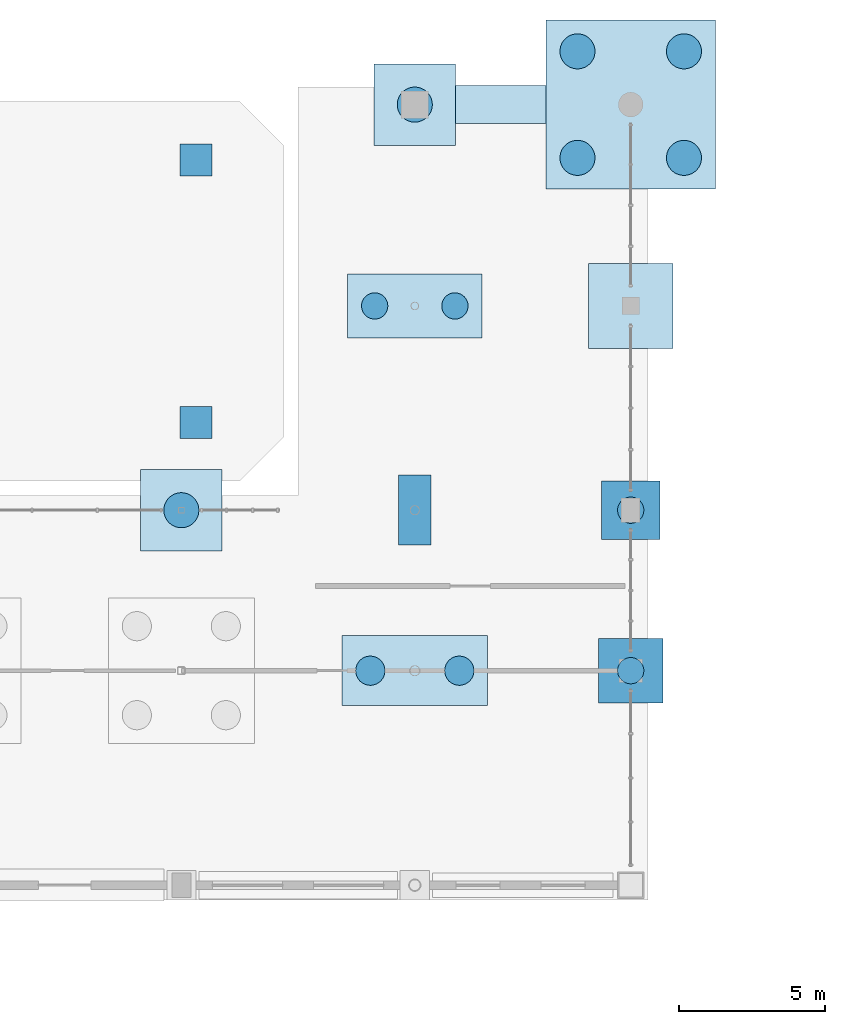
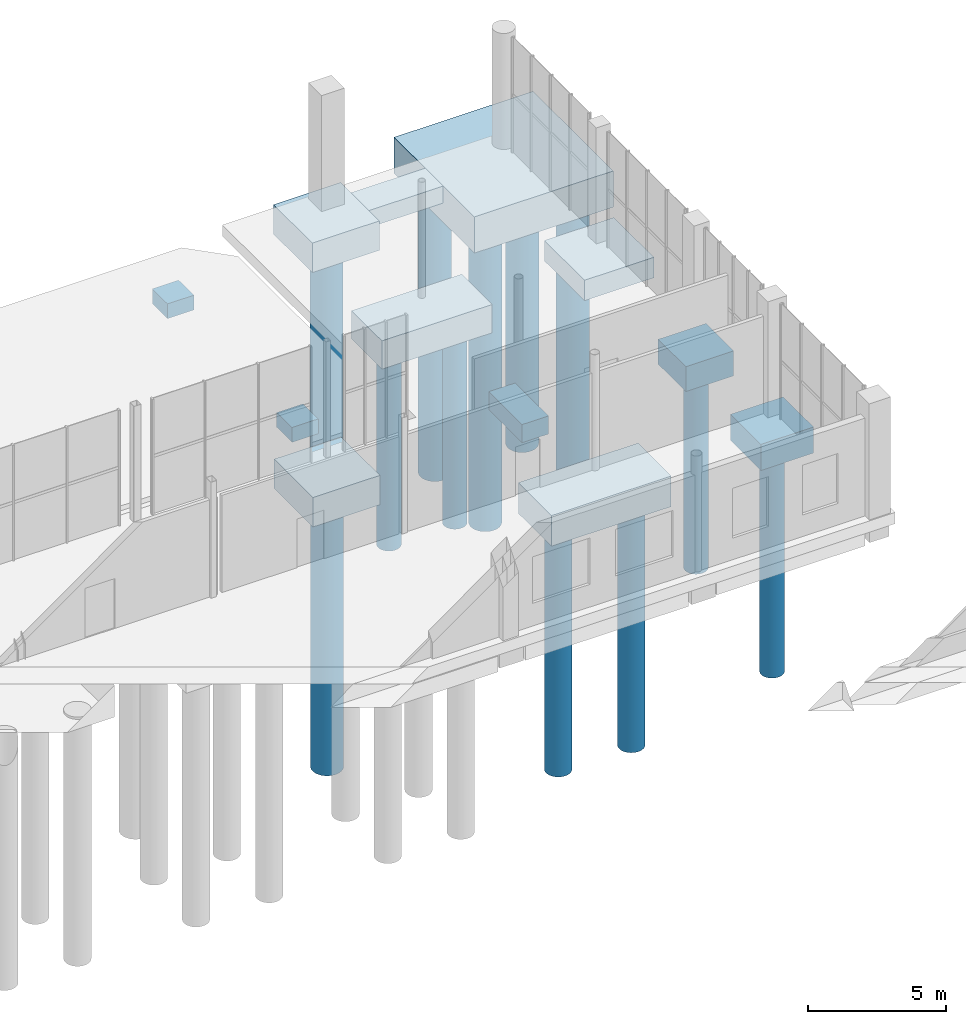
# One storey, part 4 of 87: 12 footings, 12 piles.
"""IFC4 building model written with IfcOpenShell, lengths in metres."""

from ifc_helpers import new_model, si_unit, direction, frame, origin, origin_2d, place, context, subcontext, project, spatial, rectangle, circle, extrude, material, material_profile, profile_set, type_object, element, save


model = new_model("IFC4")

# Units and contexts
model_context = context("Model", 3, precision=1e-05, world=origin(), true_north=direction((0.0, 1.0)))
body_context = subcontext(model_context, "Body", "Model", "MODEL_VIEW")
ifc_project = project(units=[si_unit("LENGTHUNIT", "METRE"), si_unit("AREAUNIT", "SQUARE_METRE"), si_unit("VOLUMEUNIT", "CUBIC_METRE"), si_unit("PLANEANGLEUNIT", "RADIAN"), si_unit("MASSUNIT", "GRAM", prefix="KILO")], contexts=[model_context])

# Site, building, storey
site_placement = place(None, origin())
site = spatial("IfcSite", under=ifc_project, at=site_placement, CompositionType="ELEMENT")
building_placement = place(site_placement, origin())
building = spatial("IfcBuilding", under=site, at=building_placement, Name="Brisemont Oceanarium", CompositionType="ELEMENT")
storey_placement = place(building_placement, origin())
storey = spatial("IfcBuildingStorey", under=building, at=storey_placement, Name="L00", CompositionType="ELEMENT", Elevation=0.0)

# Footings
ifc_material_1 = material(Name="Concrete C40/50", Category="concrete")
footing_type_1 = type_object("IfcFootingType", Name="FTG-PAD-1100", PredefinedType="PAD_FOOTING", material=ifc_material_1)
for number, where, z_axis, x_axis, name in (
    (1, (144.5, 96.5, -0.869873046875), (0.0, 0.0, 1.0), (1.0, 0.0, 0.0), "Apron support pad V6CL-2"),
    (2, (144.5, 105.5, -0.869873046875), (0.0, 0.0, 1.0), (1.0, 0.0, 0.0), "Apron support pad V6CL-4"),
):
    element("IfcFooting", number, at=place(storey_placement, frame(where, z_axis=z_axis, x_axis=x_axis)), inside=storey, type_object=footing_type_1, Name=name, PredefinedType="PAD_FOOTING", context=body_context, shape_type="SweptSolid", body=[
        extrude(rectangle(XDim=1.10009765625, YDim=1.10009765625, at=origin_2d()), origin(), (0.0, 0.0, 1.0), 0.64990234375),
    ])
ifc_material_2 = material(Name="Concrete C40/50", Category="concrete")
footing_type_2 = type_object("IfcFootingType", Name="FTG-PAD-1100X2400", PredefinedType="PAD_FOOTING", material=ifc_material_2)
footing_1_placement = place(storey_placement, frame((152.0, 93.5, -1.2998046875), z_axis=(0.0, 0.0, 1.0), x_axis=(1.0, 0.0, 0.0)))
element("IfcFooting", 3, at=footing_1_placement, inside=storey, type_object=footing_type_2, Name="PF-13 spread footing at (152.0,93.5)", PredefinedType="PAD_FOOTING", context=body_context, shape_type="SweptSolid", body=[
    extrude(rectangle(XDim=1.10009765625, YDim=2.39990234375, at=origin_2d()), origin(), (0.0, 0.0, 1.0), 0.800048828125),
])
ifc_material_3 = material(Name="Concrete C40/50", Category="concrete")
footing_type_3 = type_object("IfcFootingType", Name="FTG-PAD-2900", PredefinedType="PAD_FOOTING", material=ifc_material_3)
footing_2_placement = place(storey_placement, frame((159.39990234375, 100.5, -1.39990234375), z_axis=(0.0, 0.0, 1.0), x_axis=(1.0, 0.0, 0.0)))
element("IfcFooting", 4, at=footing_2_placement, inside=storey, type_object=footing_type_3, Name="PF-03 spread footing at (159.4,100.5)", PredefinedType="PAD_FOOTING", context=body_context, shape_type="SweptSolid", body=[
    extrude(rectangle(XDim=2.89990234375, YDim=2.89990234375, at=origin_2d()), origin(), (0.0, 0.0, 1.0), 0.89990234375),
])
ifc_material_4 = material(Name="Concrete C40/50", Category="concrete")
footing_type_4 = type_object("IfcFootingType", Name="FTG-PC-1P-2000", PredefinedType="PILE_CAP", material=ifc_material_4)
footing_3_placement = place(storey_placement, frame((159.39990234375, 93.5, -1.60009765625), z_axis=(0.0, 0.0, 1.0), x_axis=(1.0, 0.0, 0.0)))
element("IfcFooting", 5, at=footing_3_placement, inside=storey, type_object=footing_type_4, Name="PC-11 pile cap at (159.4,93.5)", PredefinedType="PILE_CAP", context=body_context, shape_type="SweptSolid", body=[
    extrude(rectangle(XDim=2.0, YDim=2.0, at=origin_2d()), origin(), (0.0, 0.0, 1.0), 1.10009765625),
])
ifc_material_5 = material(Name="Concrete C40/50", Category="concrete")
footing_type_5 = type_object("IfcFootingType", Name="FTG-PC-1P-2200", PredefinedType="PILE_CAP", material=ifc_material_5)
footing_4_placement = place(storey_placement, frame((159.39990234375, 88.0, -1.64990234375), z_axis=(0.0, 0.0, 1.0), x_axis=(1.0, 0.0, 0.0)))
element("IfcFooting", 6, at=footing_4_placement, inside=storey, type_object=footing_type_5, Name="PC-10 pile cap at (159.4,88.0)", PredefinedType="PILE_CAP", context=body_context, shape_type="SweptSolid", body=[
    extrude(rectangle(XDim=2.199951171875, YDim=2.199951171875, at=origin_2d()), origin(), (0.0, 0.0, 1.0), 1.14990234375),
])
ifc_material_6 = material(Name="Concrete C40/50", Category="concrete")
footing_type_6 = type_object("IfcFootingType", Name="FTG-PC-1P-2800", PredefinedType="PILE_CAP", material=ifc_material_6)
for number, where, z_axis, x_axis, name in (
    (7, (144.0, 93.5, -1.7998046875), (0.0, 0.0, 1.0), (1.0, 0.0, 0.0), "PC-08 pile cap at (144.0,93.5)"),
    (8, (152.0, 107.39990234375, -1.7998046875), (0.0, 0.0, 1.0), (1.0, 0.0, 0.0), "PC-08 pile cap at (152.0,107.4)"),
):
    element("IfcFooting", number, at=place(storey_placement, frame(where, z_axis=z_axis, x_axis=x_axis)), inside=storey, type_object=footing_type_6, Name=name, PredefinedType="PILE_CAP", context=body_context, shape_type="SweptSolid", body=[
        extrude(rectangle(XDim=2.800048828125, YDim=2.800048828125, at=origin_2d()), origin(), (0.0, 0.0, 1.0), 1.300048828125),
    ])
ifc_material_7 = material(Name="Concrete C40/50", Category="concrete")
footing_type_7 = type_object("IfcFootingType", Name="FTG-PC-2P-4600", PredefinedType="PILE_CAP", material=ifc_material_7)
footing_5_placement = place(storey_placement, frame((152.0, 100.5, -1.75), z_axis=(0.0, 0.0, 1.0), x_axis=(1.0, 0.0, 0.0)))
element("IfcFooting", 9, at=footing_5_placement, inside=storey, type_object=footing_type_7, Name="PC-07 pile cap at (152.0,100.5)", PredefinedType="PILE_CAP", context=body_context, shape_type="SweptSolid", body=[
    extrude(rectangle(XDim=4.60009765625, YDim=2.199951171875, at=origin_2d()), origin(), (0.0, 0.0, 1.0), 1.25),
])
ifc_material_8 = material(Name="Concrete C40/50", Category="concrete")
footing_type_8 = type_object("IfcFootingType", Name="FTG-PC-2P-5000", PredefinedType="PILE_CAP", material=ifc_material_8)
footing_6_placement = place(storey_placement, frame((152.0, 88.0, -1.85009765625), z_axis=(0.0, 0.0, 1.0), x_axis=(1.0, 0.0, 0.0)))
element("IfcFooting", 10, at=footing_6_placement, inside=storey, type_object=footing_type_8, Name="PC-06 pile cap at (152.0,88.0)", PredefinedType="PILE_CAP", context=body_context, shape_type="SweptSolid", body=[
    extrude(rectangle(XDim=5.0, YDim=2.39990234375, at=origin_2d()), origin(), (0.0, 0.0, 1.0), 1.35009765625),
])
ifc_material_9 = material(Name="Concrete C40/50", Category="concrete")
footing_type_9 = type_object("IfcFootingType", Name="FTG-PC-4P-5800", PredefinedType="PILE_CAP", material=ifc_material_9)
footing_7_placement = place(storey_placement, frame((159.39990234375, 107.39990234375, -2.10009765625), z_axis=(0.0, 0.0, 1.0), x_axis=(1.0, 0.0, 0.0)))
element("IfcFooting", 11, at=footing_7_placement, inside=storey, type_object=footing_type_9, Name="PC-02 pile cap at (159.4,107.4)", PredefinedType="PILE_CAP", context=body_context, shape_type="SweptSolid", body=[
    extrude(rectangle(XDim=5.800048828125, YDim=5.800048828125, at=origin_2d()), origin(), (0.0, 0.0, 1.0), 1.60009765625),
])
ifc_material_10 = material(Name="Concrete C40/50", Category="concrete")
footing_type_10 = type_object("IfcFootingType", Name="FTG-SF-1300X750", PredefinedType="STRIP_FOOTING", material=ifc_material_10)
footing_8_placement = place(storey_placement, frame((154.949951171875, 107.39990234375, -1.25), z_axis=(0.0, 0.0, 1.0), x_axis=(1.0, 0.0, 0.0)))
element("IfcFooting", 12, at=footing_8_placement, inside=storey, type_object=footing_type_10, Name="SF-03 continuous strip footing", PredefinedType="STRIP_FOOTING", context=body_context, shape_type="SweptSolid", body=[
    extrude(rectangle(XDim=3.10009765625, YDim=1.300048828125, at=origin_2d()), origin(), (0.0, 0.0, 1.0), 0.75),
])

# Piles
ifc_material_11 = material(Name="Concrete C40/50", Category="concrete")
ifc_material_profile_1 = material_profile(ifc_material_11, circle(Radius=0.5, at=origin_2d()), Name="CIDH-D1000")
ifc_profile_set_1 = profile_set([ifc_material_profile_1], Name="Concrete C40/50")
pile_type_1 = type_object("IfcPileType", Name="PIL-CIDH-1000-11", PredefinedType="BORED", material=ifc_profile_set_1)
for number, where, z_axis, x_axis, name in (
    (13, (150.47509765625, 88.0, -1.75), (0.0, 0.0, -1.0), (1.0, 0.0, 0.0), "P-04 rock-socketed shaft 1"),
    (14, (153.52490234375, 88.0, -1.75), (0.0, 0.0, -1.0), (1.0, 0.0, 0.0), "P-04 rock-socketed shaft 2"),
):
    element("IfcPile", number, at=place(storey_placement, frame(where, z_axis=z_axis, x_axis=x_axis)), inside=storey, type_object=pile_type_1, Name=name, PredefinedType="BORED", context=body_context, shape_type="SweptSolid", body=[
        extrude(circle(Radius=0.5, at=origin_2d()), origin(), (0.0, 0.0, 1.0), 11.0),
    ])
ifc_material_12 = material(Name="Concrete C40/50", Category="concrete")
ifc_material_profile_2 = material_profile(ifc_material_12, circle(Radius=0.60009765625, at=origin_2d()), Name="CIDH-D1200")
ifc_profile_set_2 = profile_set([ifc_material_profile_2], Name="Concrete C40/50")
pile_type_2 = type_object("IfcPileType", Name="PIL-CIDH-1200-12", PredefinedType="BORED", material=ifc_profile_set_2)
for number, where, z_axis, x_axis, name in (
    (15, (144.0, 93.5, -1.699951171875), (0.0, 0.0, -1.0), (1.0, 0.0, 0.0), "P-03 rock-socketed shaft 1"),
    (16, (152.0, 107.39990234375, -1.699951171875), (0.0, 0.0, -1.0), (1.0, 0.0, 0.0), "P-03 rock-socketed shaft 1"),
):
    element("IfcPile", number, at=place(storey_placement, frame(where, z_axis=z_axis, x_axis=x_axis)), inside=storey, type_object=pile_type_2, Name=name, PredefinedType="BORED", context=body_context, shape_type="SweptSolid", body=[
        extrude(circle(Radius=0.60009765625, at=origin_2d()), origin(), (0.0, 0.0, 1.0), 12.0),
    ])
ifc_material_13 = material(Name="Concrete C40/50", Category="concrete")
ifc_material_profile_3 = material_profile(ifc_material_13, circle(Radius=0.60009765625, at=origin_2d()), Name="CIDH-D1200")
ifc_profile_set_3 = profile_set([ifc_material_profile_3], Name="Concrete C40/50")
pile_type_3 = type_object("IfcPileType", Name="PIL-CIDH-1200-13", PredefinedType="BORED", material=ifc_profile_set_3)
for number, where, z_axis, x_axis, name in (
    (17, (157.574951171875, 105.574951171875, -2.0), (0.0, 0.0, -1.0), (1.0, 0.0, 0.0), "P-02 rock-socketed shaft 1"),
    (18, (161.22509765625, 105.574951171875, -2.0), (0.0, 0.0, -1.0), (1.0, 0.0, 0.0), "P-02 rock-socketed shaft 2"),
    (19, (157.574951171875, 109.22509765625, -2.0), (0.0, 0.0, -1.0), (1.0, 0.0, 0.0), "P-02 rock-socketed shaft 3"),
    (20, (161.22509765625, 109.22509765625, -2.0), (0.0, 0.0, -1.0), (1.0, 0.0, 0.0), "P-02 rock-socketed shaft 4"),
):
    element("IfcPile", number, at=place(storey_placement, frame(where, z_axis=z_axis, x_axis=x_axis)), inside=storey, type_object=pile_type_3, Name=name, PredefinedType="BORED", context=body_context, shape_type="SweptSolid", body=[
        extrude(circle(Radius=0.60009765625, at=origin_2d()), origin(), (0.0, 0.0, 1.0), 13.0),
    ])
ifc_material_14 = material(Name="Concrete C40/50", Category="concrete")
ifc_material_profile_4 = material_profile(ifc_material_14, circle(Radius=0.449951171875, at=origin_2d()), Name="CIDH-D900")
ifc_profile_set_4 = profile_set([ifc_material_profile_4], Name="Concrete C40/50")
pile_type_4 = type_object("IfcPileType", Name="PIL-CIDH-900-09", PredefinedType="BORED", material=ifc_profile_set_4)
for number, where, z_axis, x_axis, name in (
    (21, (150.625, 100.5, -1.64990234375), (0.0, 0.0, -1.0), (1.0, 0.0, 0.0), "P-07 rock-socketed shaft 1"),
    (22, (153.375, 100.5, -1.64990234375), (0.0, 0.0, -1.0), (1.0, 0.0, 0.0), "P-07 rock-socketed shaft 2"),
    (23, (159.39990234375, 93.5, -1.5), (0.0, 0.0, -1.0), (1.0, 0.0, 0.0), "P-07 rock-socketed shaft 1"),
):
    element("IfcPile", number, at=place(storey_placement, frame(where, z_axis=z_axis, x_axis=x_axis)), inside=storey, type_object=pile_type_4, Name=name, PredefinedType="BORED", context=body_context, shape_type="SweptSolid", body=[
        extrude(circle(Radius=0.449951171875, at=origin_2d()), origin(), (0.0, 0.0, 1.0), 8.800048828125),
    ])
ifc_material_15 = material(Name="Concrete C40/50", Category="concrete")
ifc_material_profile_5 = material_profile(ifc_material_15, circle(Radius=0.449951171875, at=origin_2d()), Name="CIDH-D900")
ifc_profile_set_5 = profile_set([ifc_material_profile_5], Name="Concrete C40/50")
pile_type_5 = type_object("IfcPileType", Name="PIL-CIDH-900-10", PredefinedType="BORED", material=ifc_profile_set_5)
pile_placement = place(storey_placement, frame((159.39990234375, 88.0, -1.550048828125), z_axis=(0.0, 0.0, -1.0), x_axis=(1.0, 0.0, 0.0)))
element("IfcPile", 24, at=pile_placement, inside=storey, type_object=pile_type_5, Name="P-06 rock-socketed shaft 1", PredefinedType="BORED", context=body_context, shape_type="SweptSolid", body=[
    extrude(circle(Radius=0.449951171875, at=origin_2d()), origin(), (0.0, 0.0, 1.0), 10.0),
])

save(model, "model.ifc")
